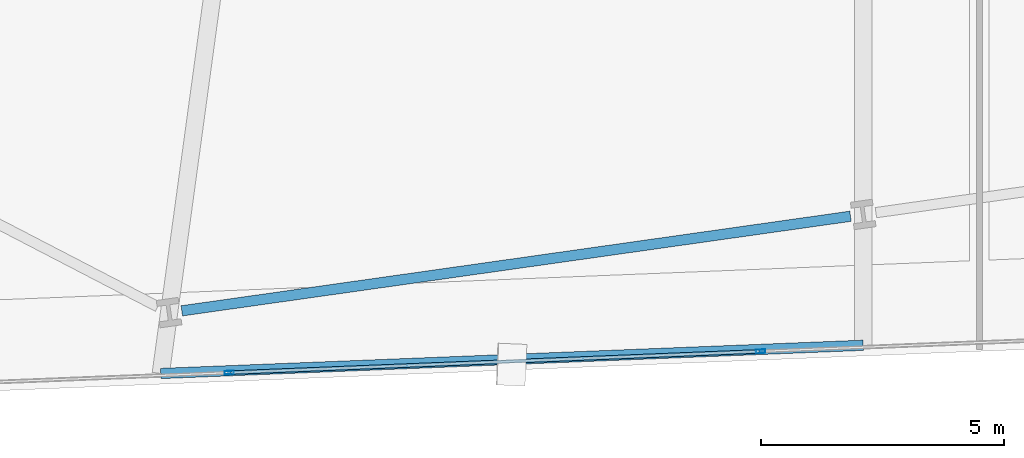
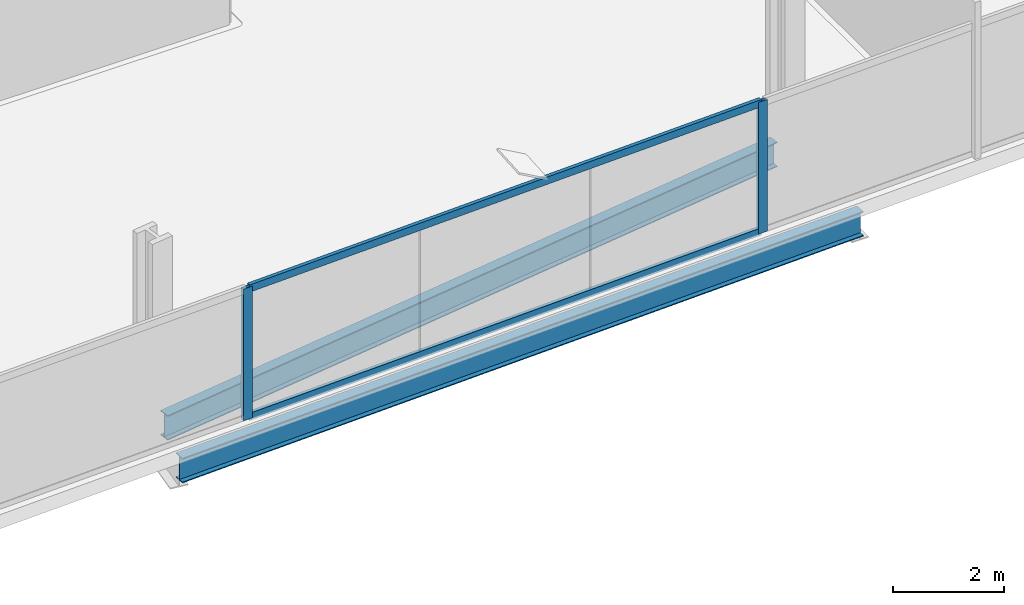
# One storey, part 5 of 32: 4 members, 2 beams, 1 element without a shape of its own.
"""IFC4 building model written with IfcOpenShell, lengths in metres."""

from ifc_helpers import new_model, si_unit, direction, frame, origin, origin_2d, place, context, subcontext, project, spatial, hollow_rectangle, i_section, extrude, material, material_profile, profile_set, type_object, element, aggregate, save


model = new_model("IFC4")

# Units and contexts
model_context = context("Model", 3, precision=1e-05, world=origin(), true_north=direction((0.0, 1.0)))
body_context = subcontext(model_context, "Body", "Model", "MODEL_VIEW")
ifc_project = project(units=[si_unit("LENGTHUNIT", "METRE"), si_unit("AREAUNIT", "SQUARE_METRE"), si_unit("VOLUMEUNIT", "CUBIC_METRE"), si_unit("PLANEANGLEUNIT", "RADIAN"), si_unit("MASSUNIT", "GRAM", prefix="KILO")], contexts=[model_context])

# Site, building, storey
site_placement = place(None, origin())
site = spatial("IfcSite", under=ifc_project, at=site_placement, CompositionType="ELEMENT")
building_placement = place(site_placement, origin())
building = spatial("IfcBuilding", under=site, at=building_placement, Name="Haldenkirk Collegiate Tower", CompositionType="ELEMENT")
storey_placement = place(building_placement, frame((0.0, 0.0, 36.449951171875)))
storey = spatial("IfcBuildingStorey", under=building, at=storey_placement, Name="L07", CompositionType="ELEMENT", Elevation=36.449951171875)

# Beams
ifc_material_1 = material(Name="Steel ASTM A992 Grade 50", Category="steel")
ifc_material_profile_1 = material_profile(ifc_material_1, i_section(OverallWidth=0.2119140625, OverallDepth=0.5439453125, WebThickness=0.01318359375, FlangeThickness=0.021240234375, at=origin_2d()), Name="W21X83")
ifc_profile_set_1 = profile_set([ifc_material_profile_1], Name="Steel ASTM A992 Grade 50")
beam_type = type_object("IfcBeamType", Name="BM-SPANDREL-W21X83", PredefinedType="SPANDREL", material=ifc_profile_set_1)
beam_1_placement = place(storey_placement, frame((25.076904296875, 2.0341796875, -0.58203125), z_axis=(0.990146197746, 0.14003752029, 0.0), x_axis=(-0.14003752029, 0.990146197746, 0.0)))
element("IfcBeam", 1, at=beam_1_placement, inside=storey, type_object=beam_type, Name="L07 perimeter spandrel beam 02", PredefinedType="SPANDREL", context=body_context, shape_type="SweptSolid", body=[
    extrude(i_section(OverallWidth=0.2119140625, OverallDepth=0.5439453125, WebThickness=0.01318359375, FlangeThickness=0.021240234375, at=origin_2d()), origin(), (0.0, 0.0, 1.0), 13.906982421875),
])
beam_2_placement = place(storey_placement, frame((24.64404296875, 0.743896484375, -0.58203125), z_axis=(0.999194831581, 0.040120923986, 0.0), x_axis=(-0.040120923986, 0.999194831581, 0.0)))
element("IfcBeam", 2, at=beam_2_placement, inside=storey, type_object=beam_type, Name="L07 outer facade edge beam 1", PredefinedType="SPANDREL", context=body_context, shape_type="SweptSolid", body=[
    extrude(i_section(OverallWidth=0.2119140625, OverallDepth=0.5439453125, WebThickness=0.01318359375, FlangeThickness=0.021240234375, at=origin_2d()), origin(), (0.0, 0.0, 1.0), 14.4765625),
])

# Curtain wall, members
ifc_material_2 = material(Name="Anodised architectural bronze aluminium", Category="aluminium")
curtain_wall_type = type_object("IfcCurtainWallType", Name="CW-SYS2-CONCAVE", PredefinedType="USERDEFINED", material=ifc_material_2)
curtain_wall_placement = place(storey_placement, origin())
curtain_wall = element("IfcCurtainWall", 3, at=curtain_wall_placement, inside=storey, type_object=curtain_wall_type, Name="L07 South concave recessed bronze-anodised curtain wall", ObjectType="UNITISED CURTAIN WALL", PredefinedType="USERDEFINED")
ifc_material_profile_2 = material_profile(ifc_material_2, hollow_rectangle(XDim=0.074951171875, YDim=0.18994140625, WallThickness=0.0048828125, at=origin_2d()), Name="CW-MUL-02")
ifc_profile_set_2 = profile_set([ifc_material_profile_2], Name="Anodised architectural bronze aluminium")
member_type_1 = type_object("IfcMemberType", Name="CW-MUL-02", PredefinedType="MULLION", material=ifc_profile_set_2)
member_1_placement = place(storey_placement, frame((36.99609375, 1.199951171875, 0.0), z_axis=(0.0, 0.0, 1.0), x_axis=(0.040132523917, -0.999194365739, 0.0)))
member_1 = element("IfcMember", 4, at=member_1_placement, type_object=member_type_1, Name="CW-02 mullion 3", PredefinedType="MULLION", context=body_context, shape_type="SweptSolid", body=[
    extrude(hollow_rectangle(XDim=0.074951171875, YDim=0.18994140625, WallThickness=0.0048828125, at=origin_2d()), origin(), (0.0, 0.0, 1.0), 2.89111328125),
])
member_2_placement = place(storey_placement, frame((26.054931640625, 0.760498046875, 0.0), z_axis=(0.0, 0.0, 1.0), x_axis=(0.040132523917, -0.999194365739, 0.0)))
member_2 = element("IfcMember", 5, at=member_2_placement, type_object=member_type_1, Name="CW-02 mullion 4", PredefinedType="MULLION", context=body_context, shape_type="SweptSolid", body=[
    extrude(hollow_rectangle(XDim=0.074951171875, YDim=0.18994140625, WallThickness=0.0048828125, at=origin_2d()), origin(), (0.0, 0.0, 1.0), 2.89111328125),
])
ifc_material_profile_3 = material_profile(ifc_material_2, hollow_rectangle(XDim=0.074951171875, YDim=0.159912109375, WallThickness=0.0048828125, at=origin_2d()), Name="CW-TRN-02")
ifc_profile_set_3 = profile_set([ifc_material_profile_3], Name="Anodised architectural bronze aluminium")
member_type_2 = type_object("IfcMemberType", Name="CW-TRN-02", PredefinedType="USERDEFINED", material=ifc_profile_set_3)
member_3_placement = place(storey_placement, frame((36.958740234375, 1.198486328125, 0.03759765625), z_axis=(-0.999194058344, -0.040140176515, 0.0), x_axis=(0.040140176515, -0.999194058344, 0.0)))
member_3 = element("IfcMember", 6, at=member_3_placement, type_object=member_type_2, Name="CW-02 transom 3.1", ObjectType="TRANSOM", PredefinedType="USERDEFINED", context=body_context, shape_type="SweptSolid", body=[
    extrude(hollow_rectangle(XDim=0.074951171875, YDim=0.159912109375, WallThickness=0.0048828125, at=origin_2d()), origin(), (0.0, 0.0, 1.0), 10.875),
])
member_4_placement = place(storey_placement, frame((36.958740234375, 1.198486328125, 2.853515625), z_axis=(-0.999194058344, -0.040140176515, 0.0), x_axis=(0.040140176515, -0.999194058344, 0.0)))
member_4 = element("IfcMember", 7, at=member_4_placement, type_object=member_type_2, Name="CW-02 transom 3.2", ObjectType="TRANSOM", PredefinedType="USERDEFINED", context=body_context, shape_type="SweptSolid", body=[
    extrude(hollow_rectangle(XDim=0.074951171875, YDim=0.159912109375, WallThickness=0.0048828125, at=origin_2d()), origin(), (0.0, 0.0, 1.0), 10.875),
])
aggregate(curtain_wall, [member_1, member_2, member_3, member_4])

save(model, "model.ifc")
